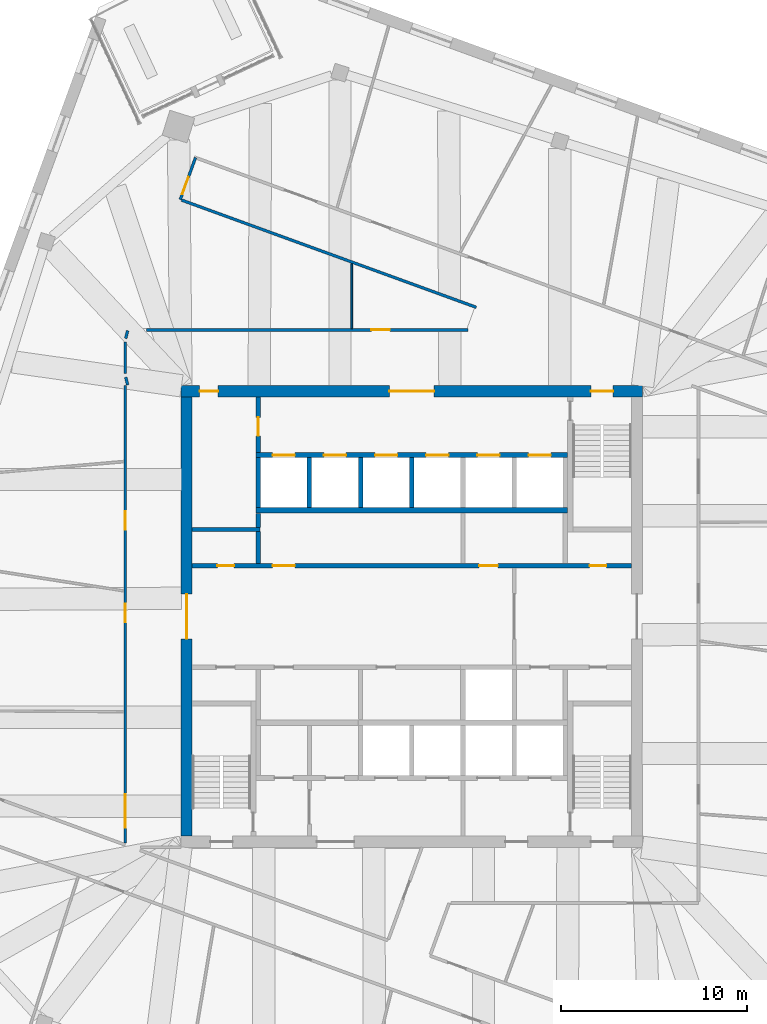
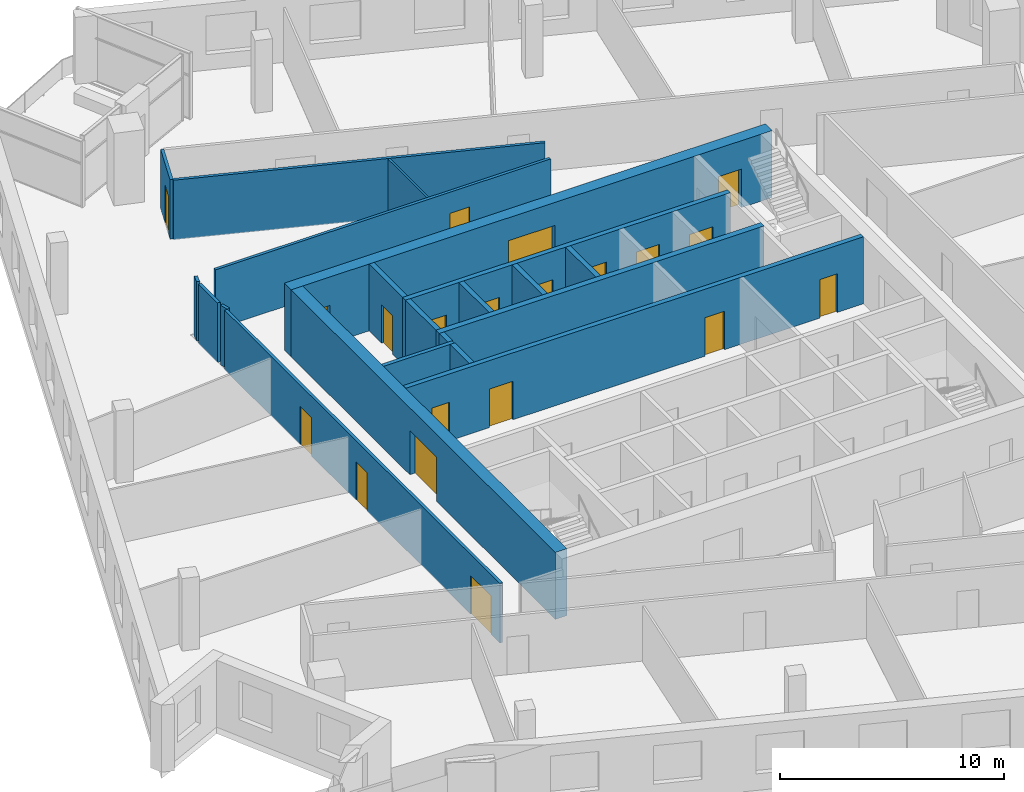
# One storey, part 9 of 13: 21 walls, 20 doors, 20 openings.
"""IFC4 building model written with IfcOpenShell, lengths in metres."""

import ifcopenshell
import ifcopenshell.guid

model = None  # the IFC model being written
_history = None  # IfcOwnerHistory: only IFC2X3 demands one
_inside = {}  # id of a spatial element -> (the spatial element, [elements in it])
_under = {}  # id of a project, library or spatial element -> (it, [spatial elements below it])
_declared = {}  # id of a project -> (the project, [libraries it declares])
_typed = {}  # id of a type object -> (the type object, [elements of that type])
_made_of = {}  # id of a material, layer set ... -> (it, [elements and type objects made of it])


def new_model(schema):
    """Start an empty IFC model of exactly this schema.

    Asked for "IFC4X3", IfcOpenShell would pick the latest addendum, in which some entities
    have other attributes; the version numbers below select the first issue.
    IFC2X3 requires an IfcOwnerHistory on every rooted entity: one is made here for all.
    """
    global model, _history
    if schema == "IFC4X3":
        model = ifcopenshell.file(schema_version=(4, 3, 0, 0))
    else:
        model = ifcopenshell.file(schema=schema)
    _inside.clear()
    _under.clear()
    _declared.clear()
    _typed.clear()
    _made_of.clear()
    _history = None
    if model.schema == "IFC2X3":
        org = make("IfcOrganization", Name="unknown")
        user = make(
            "IfcPersonAndOrganization",
            ThePerson=make("IfcPerson", FamilyName="unknown"),
            TheOrganization=org,
        )
        app = make(
            "IfcApplication",
            ApplicationDeveloper=org,
            Version="unknown",
            ApplicationFullName="unknown",
            ApplicationIdentifier="unknown",
        )
        _history = make(
            "IfcOwnerHistory",
            OwningUser=user,
            OwningApplication=app,
            ChangeAction="ADDED",
            CreationDate=0,
        )
    return model


def make(cls, **values):
    """One entity of the class cls with the attributes given. An attribute that is None is left unset."""
    return model.create_entity(
        cls, **{name: value for name, value in values.items() if value is not None}
    )


def rooted(cls, **values):
    """An entity with a GlobalId (a new one), such as an element, a storey or a relation."""
    return make(cls, GlobalId=ifcopenshell.guid.new(), OwnerHistory=_history, **values)


def si_unit(unit_type, name, prefix=None):
    """IfcSIUnit, for example si_unit("LENGTHUNIT", "METRE", prefix="MILLI")."""
    return make("IfcSIUnit", UnitType=unit_type, Prefix=prefix, Name=name)


def assignment(units):
    """IfcUnitAssignment: the units of a project."""
    return None if units is None else make("IfcUnitAssignment", Units=units)


def point(xyz):
    """IfcCartesianPoint."""
    return None if xyz is None else make("IfcCartesianPoint", Coordinates=xyz)


def direction(xyz):
    """IfcDirection."""
    return None if xyz is None else make("IfcDirection", DirectionRatios=xyz)


def frame(location, z_axis=None, x_axis=None):
    """IfcAxis2Placement3D, a coordinate frame: its origin and axes. An axis left out is left unset."""
    return make(
        "IfcAxis2Placement3D",
        Location=point(location),
        Axis=direction(z_axis),
        RefDirection=direction(x_axis),
    )


def frame_2d(location, x_axis=None):
    """IfcAxis2Placement2D, a coordinate frame in the plane: its origin and x axis."""
    return make(
        "IfcAxis2Placement2D", Location=point(location), RefDirection=direction(x_axis)
    )


def origin():
    """The frame at (0, 0, 0) with its axes left unset."""
    return frame((0.0, 0.0, 0.0))


def place(relative_to, where):
    """IfcLocalPlacement: puts the frame where relative to a parent placement (None: the world)."""
    return make(
        "IfcLocalPlacement", PlacementRelTo=relative_to, RelativePlacement=where
    )


def context(
    kind, dimensions, precision=None, world=None, true_north=None, identifier=None
):
    """IfcGeometricRepresentationContext, for example the 3D "Model" context."""
    return make(
        "IfcGeometricRepresentationContext",
        ContextIdentifier=identifier,
        ContextType=kind,
        CoordinateSpaceDimension=dimensions,
        Precision=precision,
        WorldCoordinateSystem=world,
        TrueNorth=true_north,
    )


def subcontext(parent, identifier, kind, view, scale=None):
    """IfcGeometricRepresentationSubContext, for example "Body" below "Model"."""
    return make(
        "IfcGeometricRepresentationSubContext",
        ContextIdentifier=identifier,
        ContextType=kind,
        ParentContext=parent,
        TargetScale=scale,
        TargetView=view,
    )


def project(units=None, contexts=None):
    """IfcProject with its units and contexts."""
    return rooted(
        "IfcProject",
        Name="project",
        RepresentationContexts=contexts,
        UnitsInContext=assignment(units),
    )


def spatial(cls, under=None, at=None, **own):
    """A site, building, storey or space (cls), placed at a placement, below another one or the project."""
    s = rooted(cls, ObjectPlacement=at, **own)
    if under is not None:
        _under.setdefault(under.id(), (under, []))[1].append(s)
    return s


def profile(cls, at=None, kind="AREA", **sizes):
    """A parametric profile (cls). Its sizes go by their IFC names, for example OverallWidth=200.0."""
    return make(cls, ProfileType=kind, Position=at, **sizes)


def rectangle(**sizes):
    """IfcRectangleProfileDef."""
    return profile("IfcRectangleProfileDef", **sizes)


def extrude(swept, where, along, depth):
    """IfcExtrudedAreaSolid: the profile swept, set in the frame where, extruded along a direction by depth."""
    return make(
        "IfcExtrudedAreaSolid",
        SweptArea=swept,
        Position=where,
        ExtrudedDirection=direction(along),
        Depth=depth,
    )


def shape(context_of_items, identifier, shape_type, items):
    """IfcShapeRepresentation: the items that make up one representation, for example the "Body"."""
    return make(
        "IfcShapeRepresentation",
        ContextOfItems=context_of_items,
        RepresentationIdentifier=identifier,
        RepresentationType=shape_type,
        Items=items,
    )


def material(Name=None, Category=None):
    """IfcMaterial."""
    return make("IfcMaterial", Name=Name, Category=Category)


def layer(
    of_material, thickness, ventilated=None, Name=None, Category=None, Priority=None
):
    """IfcMaterialLayer: one layer of a wall or slab, of a material (None: an air gap)."""
    return make(
        "IfcMaterialLayer",
        Material=of_material,
        LayerThickness=thickness,
        IsVentilated=ventilated,
        Name=Name,
        Category=Category,
        Priority=Priority,
    )


def layer_set(layers, Name=None):
    """IfcMaterialLayerSet."""
    return make("IfcMaterialLayerSet", MaterialLayers=layers, LayerSetName=Name)


def made_of(thing, what):
    """Note that an element or type object is made of a material, layer set ...; save() writes the relation."""
    if what is not None:
        _made_of.setdefault(what.id(), (what, []))[1].append(thing)
    return thing


def type_object(cls, material=None, **own):
    """A type object (cls), such as IfcWallType, which elements share."""
    return made_of(rooted(cls, **own), material)


def element(
    cls,
    number,
    at=None,
    inside=None,
    cuts=None,
    type_object=None,
    material=None,
    context=None,
    identifier="Body",
    shape_type=None,
    held_by="IfcProductDefinitionShape",
    body=None,
    shapes=None,
    **own,
):
    """One element of the class cls, such as IfcWall. Its Tag is "e" and its number.

    at: its placement. inside: the storey or other place that contains it. cuts: it is an
    opening in that element (IfcRelVoidsElement). A single representation is given by context,
    identifier, shape_type and body (its items); several are given by shapes. held_by: the class
    of the entity that holds the representations. save() writes the other relations.
    """
    e = rooted(cls, Tag="e%d" % number, ObjectPlacement=at, **own)
    if body is not None:
        shapes = [shape(context, identifier, shape_type, body)]
    if shapes is not None:
        e.Representation = make(held_by, Representations=shapes)
    if inside is not None:
        _inside.setdefault(inside.id(), (inside, []))[1].append(e)
    if cuts is not None:
        rooted(
            "IfcRelVoidsElement", RelatingBuildingElement=cuts, RelatedOpeningElement=e
        )
    if type_object is not None:
        _typed.setdefault(type_object.id(), (type_object, []))[1].append(e)
    return made_of(e, material)


def fill(opening, filler):
    """IfcRelFillsElement: the door or window that sits in an opening."""
    return rooted(
        "IfcRelFillsElement",
        RelatingOpeningElement=opening,
        RelatedBuildingElement=filler,
    )


def aggregate(whole, parts):
    """IfcRelAggregates: a whole, such as a stair, and the parts it consists of."""
    return rooted("IfcRelAggregates", RelatingObject=whole, RelatedObjects=parts)


def save(model, path):
    """Write the relations noted so far, then the file.

    IfcRelAggregates (storeys below a building ...), IfcRelContainedInSpatialStructure (elements
    in a storey), IfcRelDefinesByType, IfcRelAssociatesMaterial and IfcRelDeclares: one each for
    every whole, place, type object, material and project.
    """
    for whole, parts in _under.values():
        aggregate(whole, parts)
    for where, things in _inside.values():
        rooted(
            "IfcRelContainedInSpatialStructure",
            RelatedElements=things,
            RelatingStructure=where,
        )
    for kind, things in _typed.values():
        rooted("IfcRelDefinesByType", RelatedObjects=things, RelatingType=kind)
    for what, things in _made_of.values():
        rooted("IfcRelAssociatesMaterial", RelatedObjects=things, RelatingMaterial=what)
    for by, libraries in _declared.values():
        rooted("IfcRelDeclares", RelatingContext=by, RelatedDefinitions=libraries)
    model.write(path)


model = new_model("IFC4")

# Units and contexts
model_context = context("Model", 3, precision=1e-05, world=origin(), true_north=direction((0.0, 1.0)))
body_context = subcontext(model_context, "Body", "Model", "MODEL_VIEW")
ifc_project = project(units=[si_unit("LENGTHUNIT", "METRE"), si_unit("AREAUNIT", "SQUARE_METRE"), si_unit("VOLUMEUNIT", "CUBIC_METRE"), si_unit("PLANEANGLEUNIT", "RADIAN"), si_unit("MASSUNIT", "GRAM", prefix="KILO")], contexts=[model_context])

# Site, building, storey
site_placement = place(None, origin())
site = spatial("IfcSite", under=ifc_project, at=site_placement, CompositionType="ELEMENT")
building_placement = place(site_placement, origin())
building = spatial("IfcBuilding", under=site, at=building_placement, Name="Dilmun Exchange Tower", CompositionType="ELEMENT")
storey_placement = place(building_placement, frame((0.0, 0.0, 308.5)))
storey = spatial("IfcBuildingStorey", under=building, at=storey_placement, Name="L73", CompositionType="ELEMENT", Elevation=308.5)

# Wall
ifc_material_1 = material(Name="Concrete C40/50", Category="concrete")
ifc_layer_1 = layer(ifc_material_1, 0.199951171875)
ifc_layer_set_1 = layer_set([ifc_layer_1], Name="Concrete C40/50")
wall_type_1 = type_object("IfcWallType", Name="Core partition wall 200", PredefinedType="PARTITIONING", material=ifc_layer_set_1)
wall_1_placement = place(storey_placement, frame((-11.794921875, 4.675048828125, 0.0), z_axis=(0.0, 0.0, 1.0), x_axis=(1.0, 0.0, 0.0)))
element("IfcWall", 1, at=wall_1_placement, inside=storey, type_object=wall_type_1, Name="L73 core partition wall 17", PredefinedType="PARTITIONING", context=body_context, shape_type="SweptSolid", body=[
    extrude(rectangle(XDim=3.64501953125, YDim=0.199951171875, at=frame_2d((1.822509765625, 0.0))), origin(), (0.0, 0.0, 1.0), 3.64990234375),
])

# Wall, openings, doors
ifc_layer_2 = layer(ifc_material_1, 0.25)
ifc_layer_set_2 = layer_set([ifc_layer_2], Name="Concrete C40/50")
wall_type_2 = type_object("IfcWallType", Name="Core partition wall 250", PredefinedType="PARTITIONING", material=ifc_layer_set_2)
wall_2_placement = place(storey_placement, frame((-11.794921875, 2.72509765625, 0.0), z_axis=(0.0, 0.0, 1.0), x_axis=(1.0, 0.0, 0.0)))
wall_2 = element("IfcWall", 2, at=wall_2_placement, inside=storey, type_object=wall_type_2, Name="L73 core partition wall 13", PredefinedType="PARTITIONING", context=body_context, shape_type="SweptSolid", body=[
    extrude(rectangle(XDim=23.58984375, YDim=0.25, at=frame_2d((11.794921875, 0.0))), origin(), (0.0, 0.0, 1.0), 3.64990234375),
])
opening_1_placement = place(wall_2_placement, frame((21.344970703125, 0.0, 0.0)))
opening_1 = element("IfcOpeningElement", 3, at=opening_1_placement, cuts=wall_2, Name="Opening CD6", PredefinedType="OPENING", context=body_context, shape_type="SweptSolid", body=[
    extrude(rectangle(XDim=0.89990234375, YDim=2.10009765625, at=frame_2d((0.449951171875, 1.050048828125))), frame((0.0, 0.135009765625, 0.0), z_axis=(0.0, -1.0, 0.0), x_axis=(1.0, 0.0, 0.0)), (0.0, 0.0, 1.0), 0.27001953125),
])
opening_2_placement = place(wall_2_placement, frame((1.344970703125, 0.0, 0.0)))
opening_2 = element("IfcOpeningElement", 4, at=opening_2_placement, cuts=wall_2, Name="Opening CD6", PredefinedType="OPENING", context=body_context, shape_type="SweptSolid", body=[
    extrude(rectangle(XDim=0.89990234375, YDim=2.10009765625, at=frame_2d((0.449951171875, 1.050048828125))), frame((0.0, 0.135009765625, 0.0), z_axis=(0.0, -1.0, 0.0), x_axis=(1.0, 0.0, 0.0)), (0.0, 0.0, 1.0), 0.27001953125),
])
opening_3_placement = place(wall_2_placement, frame((4.320068359375, 0.0, 0.0)))
opening_3 = element("IfcOpeningElement", 5, at=opening_3_placement, cuts=wall_2, Name="Opening CD3", PredefinedType="OPENING", context=body_context, shape_type="SweptSolid", body=[
    extrude(rectangle(XDim=1.199951171875, YDim=2.10009765625, at=frame_2d((0.60009765625, 1.050048828125))), frame((0.0, 0.135009765625, 0.0), z_axis=(0.0, -1.0, 0.0), x_axis=(1.0, 0.0, 0.0)), (0.0, 0.0, 1.0), 0.27001953125),
])
opening_4_placement = place(wall_2_placement, frame((15.419921875, 0.0, 0.0)))
opening_4 = element("IfcOpeningElement", 6, at=opening_4_placement, cuts=wall_2, Name="Opening CD4", PredefinedType="OPENING", context=body_context, shape_type="SweptSolid", body=[
    extrude(rectangle(XDim=1.0, YDim=2.10009765625, at=frame_2d((0.5, 1.050048828125))), frame((0.0, 0.135009765625, 0.0), z_axis=(0.0, -1.0, 0.0), x_axis=(1.0, 0.0, 0.0)), (0.0, 0.0, 1.0), 0.27001953125),
])
ifc_material_2 = material(Name="Fire-rated steel door set", Category="steel")
door_type_1 = type_object("IfcDoorType", Name="Core room door 1000x2100", OperationType="SINGLE_SWING_LEFT", PredefinedType="DOOR", material=ifc_material_2)
door_1_placement = place(opening_4_placement, origin())
door_1 = element("IfcDoor", 7, at=door_1_placement, inside=storey, type_object=door_type_1, Name="L73 door Tenant services room", OperationType="SINGLE_SWING_RIGHT", OverallHeight=2.10009765625, OverallWidth=1.0, PredefinedType="DOOR", context=body_context, shape_type="SweptSolid", body=[
    extrude(rectangle(XDim=1.0, YDim=2.10009765625, at=frame_2d((0.5, 1.050048828125))), frame((0.0, 0.02490234375, 0.0), z_axis=(0.0, -1.0, 0.0), x_axis=(1.0, 0.0, 0.0)), (0.0, 0.0, 1.0), 0.050048828125),
])
fill(opening_4, door_1)
door_type_2 = type_object("IfcDoorType", Name="Core room door 900x2100", OperationType="SINGLE_SWING_LEFT", PredefinedType="DOOR", material=ifc_material_2)
door_2_placement = place(opening_1_placement, origin())
door_2 = element("IfcDoor", 8, at=door_2_placement, inside=storey, type_object=door_type_2, Name="L73 door Electrical riser", OperationType="SINGLE_SWING_RIGHT", OverallHeight=2.10009765625, OverallWidth=0.89990234375, PredefinedType="DOOR", context=body_context, shape_type="SweptSolid", body=[
    extrude(rectangle(XDim=0.89990234375, YDim=2.10009765625, at=frame_2d((0.449951171875, 1.050048828125))), frame((0.0, 0.02490234375, 0.0), z_axis=(0.0, -1.0, 0.0), x_axis=(1.0, 0.0, 0.0)), (0.0, 0.0, 1.0), 0.050048828125),
])
fill(opening_1, door_2)
door_3_placement = place(opening_2_placement, origin())
door_3 = element("IfcDoor", 9, at=door_3_placement, inside=storey, type_object=door_type_2, Name="L73 door Plumbing riser", OperationType="SINGLE_SWING_RIGHT", OverallHeight=2.10009765625, OverallWidth=0.89990234375, PredefinedType="DOOR", context=body_context, shape_type="SweptSolid", body=[
    extrude(rectangle(XDim=0.89990234375, YDim=2.10009765625, at=frame_2d((0.449951171875, 1.050048828125))), frame((0.0, 0.02490234375, 0.0), z_axis=(0.0, -1.0, 0.0), x_axis=(1.0, 0.0, 0.0)), (0.0, 0.0, 1.0), 0.050048828125),
])
fill(opening_2, door_3)
door_type_3 = type_object("IfcDoorType", Name="Stair exit door 1200x2100", OperationType="SINGLE_SWING_LEFT", PredefinedType="DOOR", material=ifc_material_2)
door_4_placement = place(opening_3_placement, origin())
door_4 = element("IfcDoor", 10, at=door_4_placement, inside=storey, type_object=door_type_3, Name="L73 door Building management office", OperationType="SINGLE_SWING_LEFT", OverallHeight=2.10009765625, OverallWidth=1.199951171875, PredefinedType="DOOR", context=body_context, shape_type="SweptSolid", body=[
    extrude(rectangle(XDim=1.199951171875, YDim=2.10009765625, at=frame_2d((0.60009765625, 1.050048828125))), frame((0.0, 0.02490234375, 0.0), z_axis=(0.0, -1.0, 0.0), x_axis=(1.0, 0.0, 0.0)), (0.0, 0.0, 1.0), 0.050048828125),
])
fill(opening_3, door_4)

# Walls
wall_3_placement = place(storey_placement, frame((-8.25, 2.85498046875, 0.0), z_axis=(0.0, 0.0, 1.0), x_axis=(0.0, 1.0, 0.0)))
element("IfcWall", 11, at=wall_3_placement, inside=storey, type_object=wall_type_2, Name="L73 core partition wall 14", PredefinedType="PARTITIONING", context=body_context, shape_type="SweptSolid", body=[
    extrude(rectangle(XDim=1.715087890625, YDim=0.25, at=frame_2d((0.857421875, 0.0))), origin(), (0.0, 0.0, 1.0), 3.64990234375),
])
wall_4_placement = place(storey_placement, frame((-8.25, 4.780029296875, 0.0), z_axis=(0.0, 0.0, 1.0), x_axis=(0.0, 1.0, 0.0)))
element("IfcWall", 12, at=wall_4_placement, inside=storey, type_object=wall_type_2, Name="L73 core partition wall 18", PredefinedType="PARTITIONING", context=body_context, shape_type="SweptSolid", body=[
    extrude(rectangle(XDim=0.764892578125, YDim=0.25, at=frame_2d((0.38232421875, 0.0))), origin(), (0.0, 0.0, 1.0), 3.64990234375),
])

# Wall, opening, door
wall_5_placement = place(storey_placement, frame((-8.25, 8.804931640625, 0.0), z_axis=(0.0, 0.0, 1.0), x_axis=(0.0, 1.0, 0.0)))
wall_5 = element("IfcWall", 13, at=wall_5_placement, inside=storey, type_object=wall_type_2, Name="L73 core partition wall 19", PredefinedType="PARTITIONING", context=body_context, shape_type="SweptSolid", body=[
    extrude(rectangle(XDim=2.989990234375, YDim=0.25, at=frame_2d((1.4951171875, 0.0))), origin(), (0.0, 0.0, 1.0), 3.64990234375),
])
opening_5_placement = place(wall_5_placement, frame((0.89501953125, 0.0, 0.0)))
opening_5 = element("IfcOpeningElement", 14, at=opening_5_placement, cuts=wall_5, Name="Opening CD4", PredefinedType="OPENING", context=body_context, shape_type="SweptSolid", body=[
    extrude(rectangle(XDim=1.0, YDim=2.10009765625, at=frame_2d((0.5, 1.050048828125))), frame((0.0, 0.135009765625, 0.0), z_axis=(0.0, -1.0, 0.0), x_axis=(1.0, 0.0, 0.0)), (0.0, 0.0, 1.0), 0.27001953125),
])
door_5_placement = place(opening_5_placement, origin())
door_5 = element("IfcDoor", 15, at=door_5_placement, inside=storey, type_object=door_type_1, Name="L73 door Facilities office", OperationType="SINGLE_SWING_RIGHT", OverallHeight=2.10009765625, OverallWidth=1.0, PredefinedType="DOOR", context=body_context, shape_type="SweptSolid", body=[
    extrude(rectangle(XDim=1.0, YDim=2.10009765625, at=frame_2d((0.5, 1.050048828125))), frame((0.0, 0.02490234375, 0.0), z_axis=(0.0, -1.0, 0.0), x_axis=(1.0, 0.0, 0.0)), (0.0, 0.0, 1.0), 0.050048828125),
])
fill(opening_5, door_5)

# Wall, openings, doors
ifc_material_3 = material(Name="Concrete C50/60", Category="concrete")
ifc_layer_3 = layer(ifc_material_3, 0.60009765625)
ifc_layer_set_3 = layer_set([ifc_layer_3], Name="Concrete C50/60")
wall_type_3 = type_object("IfcWallType", Name="Core shear wall 600 Concrete C50/60", PredefinedType="SHEAR", material=ifc_layer_set_3)
wall_6_placement = place(storey_placement, frame((-12.39990234375, 12.10009765625, 0.0), z_axis=(0.0, 0.0, 1.0), x_axis=(1.0, 0.0, 0.0)))
wall_6 = element("IfcWall", 16, at=wall_6_placement, inside=storey, type_object=wall_type_3, Name="L73 core shear wall N", PredefinedType="SHEAR", context=body_context, shape_type="SweptSolid", body=[
    extrude(rectangle(XDim=24.7998046875, YDim=0.60009765625, at=frame_2d((12.39990234375, 0.0))), origin(), (0.0, 0.0, 1.0), 3.64990234375),
])
opening_6_placement = place(wall_6_placement, frame((11.199951171875, 0.0, 0.0)))
opening_6 = element("IfcOpeningElement", 17, at=opening_6_placement, cuts=wall_6, Name="Opening CD1", PredefinedType="OPENING", context=body_context, shape_type="SweptSolid", body=[
    extrude(rectangle(XDim=2.39990234375, YDim=2.39990234375, at=frame_2d((1.199951171875, 1.199951171875))), frame((0.0, 0.31005859375, 0.0), z_axis=(0.0, -1.0, 0.0), x_axis=(1.0, 0.0, 0.0)), (0.0, 0.0, 1.0), 0.6201171875),
])
opening_7_placement = place(wall_6_placement, frame((22.02490234375, 0.0, 0.0)))
opening_7 = element("IfcOpeningElement", 18, at=opening_7_placement, cuts=wall_6, Name="Opening CD3", PredefinedType="OPENING", context=body_context, shape_type="SweptSolid", body=[
    extrude(rectangle(XDim=1.199951171875, YDim=2.10009765625, at=frame_2d((0.60009765625, 1.050048828125))), frame((0.0, 0.31005859375, 0.0), z_axis=(0.0, -1.0, 0.0), x_axis=(1.0, 0.0, 0.0)), (0.0, 0.0, 1.0), 0.6201171875),
])
opening_8_placement = place(wall_6_placement, frame((1.0, 0.0, 0.0)))
opening_8 = element("IfcOpeningElement", 19, at=opening_8_placement, cuts=wall_6, Name="Opening CD4", PredefinedType="OPENING", context=body_context, shape_type="SweptSolid", body=[
    extrude(rectangle(XDim=1.0, YDim=2.10009765625, at=frame_2d((0.5, 1.050048828125))), frame((0.0, 0.31005859375, 0.0), z_axis=(0.0, -1.0, 0.0), x_axis=(1.0, 0.0, 0.0)), (0.0, 0.0, 1.0), 0.6201171875),
])
door_type_4 = type_object("IfcDoorType", Name="Core lobby door 2400x2400", OperationType="DOUBLE_DOOR_DOUBLE_SWING", PredefinedType="DOOR", material=ifc_material_2)
door_6_placement = place(opening_6_placement, origin())
door_6 = element("IfcDoor", 20, at=door_6_placement, inside=storey, type_object=door_type_4, Name="L73 door North lift lobby", OperationType="SINGLE_SWING_LEFT", OverallHeight=2.39990234375, OverallWidth=2.39990234375, PredefinedType="DOOR", context=body_context, shape_type="SweptSolid", body=[
    extrude(rectangle(XDim=2.39990234375, YDim=2.39990234375, at=frame_2d((1.199951171875, 1.199951171875))), frame((0.0, 0.02490234375, 0.0), z_axis=(0.0, -1.0, 0.0), x_axis=(1.0, 0.0, 0.0)), (0.0, 0.0, 1.0), 0.050048828125),
])
fill(opening_6, door_6)
door_7_placement = place(opening_8_placement, origin())
door_7 = element("IfcDoor", 21, at=door_7_placement, inside=storey, type_object=door_type_1, Name="L73 door North-west core rooms", OperationType="SINGLE_SWING_LEFT", OverallHeight=2.10009765625, OverallWidth=1.0, PredefinedType="DOOR", context=body_context, shape_type="SweptSolid", body=[
    extrude(rectangle(XDim=1.0, YDim=2.10009765625, at=frame_2d((0.5, 1.050048828125))), frame((0.0, 0.02490234375, 0.0), z_axis=(0.0, -1.0, 0.0), x_axis=(1.0, 0.0, 0.0)), (0.0, 0.0, 1.0), 0.050048828125),
])
fill(opening_8, door_7)
door_8_placement = place(opening_7_placement, origin())
door_8 = element("IfcDoor", 22, at=door_8_placement, inside=storey, type_object=door_type_3, Name="L73 door Stair ST1", OperationType="SINGLE_SWING_LEFT", OverallHeight=2.10009765625, OverallWidth=1.199951171875, PredefinedType="DOOR", context=body_context, shape_type="SweptSolid", body=[
    extrude(rectangle(XDim=1.199951171875, YDim=2.10009765625, at=frame_2d((0.60009765625, 1.050048828125))), frame((0.0, 0.02490234375, 0.0), z_axis=(0.0, -1.0, 0.0), x_axis=(1.0, 0.0, 0.0)), (0.0, 0.0, 1.0), 0.050048828125),
])
fill(opening_7, door_8)

# Wall, opening, door
wall_7_placement = place(storey_placement, frame((-12.10009765625, -11.800048828125, 0.0), z_axis=(0.0, 0.0, 1.0), x_axis=(0.0, 1.0, 0.0)))
wall_7 = element("IfcWall", 23, at=wall_7_placement, inside=storey, type_object=wall_type_3, Name="L73 core shear wall W", PredefinedType="SHEAR", context=body_context, shape_type="SweptSolid", body=[
    extrude(rectangle(XDim=23.60009765625, YDim=0.60009765625, at=frame_2d((11.800048828125, 0.0))), origin(), (0.0, 0.0, 1.0), 3.64990234375),
])
opening_9_placement = place(wall_7_placement, frame((10.60009765625, 0.0, 0.0)))
opening_9 = element("IfcOpeningElement", 24, at=opening_9_placement, cuts=wall_7, Name="Opening CD1", PredefinedType="OPENING", context=body_context, shape_type="SweptSolid", body=[
    extrude(rectangle(XDim=2.39990234375, YDim=2.39990234375, at=frame_2d((1.199951171875, 1.199951171875))), frame((0.0, 0.31005859375, 0.0), z_axis=(0.0, -1.0, 0.0), x_axis=(1.0, 0.0, 0.0)), (0.0, 0.0, 1.0), 0.6201171875),
])
door_9_placement = place(opening_9_placement, origin())
door_9 = element("IfcDoor", 25, at=door_9_placement, inside=storey, type_object=door_type_4, Name="L73 door Central lift lobby", OperationType="SINGLE_SWING_LEFT", OverallHeight=2.39990234375, OverallWidth=2.39990234375, PredefinedType="DOOR", context=body_context, shape_type="SweptSolid", body=[
    extrude(rectangle(XDim=2.39990234375, YDim=2.39990234375, at=frame_2d((1.199951171875, 1.199951171875))), frame((0.0, 0.02490234375, 0.0), z_axis=(0.0, -1.0, 0.0), x_axis=(1.0, 0.0, 0.0)), (0.0, 0.0, 1.0), 0.050048828125),
])
fill(opening_9, door_9)

# Wall, openings, doors
ifc_material_4 = material(Name="Corridor wall 150")
ifc_layer_4 = layer(ifc_material_4, 0.14990234375)
ifc_layer_set_4 = layer_set([ifc_layer_4], Name="Corridor wall 150")
wall_type_4 = type_object("IfcWallType", Name="Corridor wall 150", PredefinedType="PARTITIONING", material=ifc_layer_set_4)
wall_8_placement = place(storey_placement, frame((-15.39990234375, -12.160888671875, 0.0), z_axis=(0.0, 0.0, 1.0), x_axis=(0.0, 1.0, 0.0)))
wall_8 = element("IfcWall", 26, at=wall_8_placement, inside=storey, type_object=wall_type_4, Name="Corridor wall", PredefinedType="PARTITIONING", context=body_context, shape_type="SweptSolid", body=[
    extrude(rectangle(XDim=24.560791015625, YDim=0.14990234375, at=frame_2d((12.2802734375, 0.0))), origin(), (0.0, 0.0, 1.0), 3.25),
])
opening_10_placement = place(wall_8_placement, frame((0.800048828125, 0.0, 0.0)))
opening_10 = element("IfcOpeningElement", 27, at=opening_10_placement, cuts=wall_8, Name="Opening TF72-D01", PredefinedType="OPENING", context=body_context, shape_type="SweptSolid", body=[
    extrude(rectangle(XDim=1.800048828125, YDim=2.10009765625, at=frame_2d((0.89990234375, 1.050048828125))), frame((0.0, 0.0849609375, 0.0), z_axis=(0.0, -1.0, 0.0), x_axis=(1.0, 0.0, 0.0)), (0.0, 0.0, 1.0), 0.169921875),
])
opening_11_placement = place(wall_8_placement, frame((11.84521484375, 0.0, 0.0)))
opening_11 = element("IfcOpeningElement", 28, at=opening_11_placement, cuts=wall_8, Name="Opening TF72-D03", PredefinedType="OPENING", context=body_context, shape_type="SweptSolid", body=[
    extrude(rectangle(XDim=1.0, YDim=2.10009765625, at=frame_2d((0.5, 1.050048828125))), frame((0.0, 0.0849609375, 0.0), z_axis=(0.0, -1.0, 0.0), x_axis=(1.0, 0.0, 0.0)), (0.0, 0.0, 1.0), 0.169921875),
])
opening_12_placement = place(wall_8_placement, frame((16.823974609375, 0.0, 0.0)))
opening_12 = element("IfcOpeningElement", 29, at=opening_12_placement, cuts=wall_8, Name="Opening TF72-D04", PredefinedType="OPENING", context=body_context, shape_type="SweptSolid", body=[
    extrude(rectangle(XDim=1.0, YDim=2.10009765625, at=frame_2d((0.5, 1.050048828125))), frame((0.0, 0.0849609375, 0.0), z_axis=(0.0, -1.0, 0.0), x_axis=(1.0, 0.0, 0.0)), (0.0, 0.0, 1.0), 0.169921875),
])
ifc_material_5 = material(Name="Fire door 1000 x 2100")
door_type_5 = type_object("IfcDoorType", Name="Fire door 1000 x 2100", OperationType="NOTDEFINED", PredefinedType="DOOR", material=ifc_material_5)
door_10_placement = place(opening_11_placement, origin())
door_10 = element("IfcDoor", 30, at=door_10_placement, inside=storey, type_object=door_type_5, Name="Door TF72-D03", OperationType="SINGLE_SWING_LEFT", OverallHeight=2.10009765625, OverallWidth=1.0, PredefinedType="DOOR", context=body_context, shape_type="SweptSolid", body=[
    extrude(rectangle(XDim=1.0, YDim=2.10009765625, at=frame_2d((0.5, 1.050048828125))), frame((0.0, 0.02490234375, 0.0), z_axis=(0.0, -1.0, 0.0), x_axis=(1.0, 0.0, 0.0)), (0.0, 0.0, 1.0), 0.050048828125),
])
fill(opening_11, door_10)
door_11_placement = place(opening_12_placement, origin())
door_11 = element("IfcDoor", 31, at=door_11_placement, inside=storey, type_object=door_type_5, Name="Door TF72-D04", OperationType="SINGLE_SWING_RIGHT", OverallHeight=2.10009765625, OverallWidth=1.0, PredefinedType="DOOR", context=body_context, shape_type="SweptSolid", body=[
    extrude(rectangle(XDim=1.0, YDim=2.10009765625, at=frame_2d((0.5, 1.050048828125))), frame((0.0, 0.02490234375, 0.0), z_axis=(0.0, -1.0, 0.0), x_axis=(1.0, 0.0, 0.0)), (0.0, 0.0, 1.0), 0.050048828125),
])
fill(opening_12, door_11)
ifc_material_6 = material(Name="Fire door pair 1800 x 2100")
door_type_6 = type_object("IfcDoorType", Name="Fire door pair 1800 x 2100", OperationType="NOTDEFINED", PredefinedType="DOOR", material=ifc_material_6)
door_12_placement = place(opening_10_placement, origin())
door_12 = element("IfcDoor", 32, at=door_12_placement, inside=storey, type_object=door_type_6, Name="Door TF72-D01", OperationType="DOUBLE_DOOR_SINGLE_SWING", OverallHeight=2.10009765625, OverallWidth=1.800048828125, PredefinedType="DOOR", context=body_context, shape_type="SweptSolid", body=[
    extrude(rectangle(XDim=1.800048828125, YDim=2.10009765625, at=frame_2d((0.89990234375, 1.050048828125))), frame((0.0, 0.02490234375, 0.0), z_axis=(0.0, -1.0, 0.0), x_axis=(1.0, 0.0, 0.0)), (0.0, 0.0, 1.0), 0.050048828125),
])
fill(opening_10, door_12)

# Walls
wall_9_placement = place(storey_placement, frame((-15.39990234375, 13.050048828125, 0.0), z_axis=(0.0, 0.0, 1.0), x_axis=(0.0, 1.0, 0.0)))
element("IfcWall", 33, at=wall_9_placement, inside=storey, type_object=wall_type_4, Name="Corridor wall", PredefinedType="PARTITIONING", context=body_context, shape_type="SweptSolid", body=[
    extrude(rectangle(XDim=1.699951171875, YDim=0.14990234375, at=frame_2d((0.85009765625, 0.0))), origin(), (0.0, 0.0, 1.0), 3.25),
])
wall_10_placement = place(storey_placement, frame((-15.263427734375, 12.440185546875, 0.0), z_axis=(0.0, 0.0, 1.0), x_axis=(-0.249928977064, 0.968264171817, 0.0)))
element("IfcWall", 34, at=wall_10_placement, inside=storey, type_object=wall_type_4, Name="Corridor wall", PredefinedType="PARTITIONING", context=body_context, shape_type="SweptSolid", body=[
    extrude(rectangle(XDim=0.434814453125, YDim=0.14990234375, at=frame_2d((0.21728515625, 0.0))), origin(), (0.0, 0.0, 1.0), 3.25),
])
wall_11_placement = place(storey_placement, frame((-15.263427734375, 15.359619140625, 0.0), z_axis=(0.0, 0.0, 1.0), x_axis=(-0.250064963452, -0.968229060736, 0.0)))
element("IfcWall", 35, at=wall_11_placement, inside=storey, type_object=wall_type_4, Name="Corridor wall", PredefinedType="PARTITIONING", context=body_context, shape_type="SweptSolid", body=[
    extrude(rectangle(XDim=0.4345703125, YDim=0.14990234375, at=frame_2d((0.21728515625, 0.0))), origin(), (0.0, 0.0, 1.0), 3.25),
])

# Wall, opening, door
wall_12_placement = place(storey_placement, frame((-14.250244140625, 15.39990234375, 0.0), z_axis=(0.0, 0.0, 1.0), x_axis=(1.0, 0.0, 0.0)))
wall_12 = element("IfcWall", 36, at=wall_12_placement, inside=storey, type_object=wall_type_4, Name="Corridor wall", PredefinedType="PARTITIONING", context=body_context, shape_type="SweptSolid", body=[
    extrude(rectangle(XDim=17.273193359375, YDim=0.14990234375, at=frame_2d((8.63671875, 0.0))), origin(), (0.0, 0.0, 1.0), 3.25),
])
opening_13_placement = place(wall_12_placement, frame((12.074951171875, 0.0, 0.0)))
opening_13 = element("IfcOpeningElement", 37, at=opening_13_placement, cuts=wall_12, Name="Opening TF72-D10", PredefinedType="OPENING", context=body_context, shape_type="SweptSolid", body=[
    extrude(rectangle(XDim=1.0, YDim=2.10009765625, at=frame_2d((0.5, 1.050048828125))), frame((0.0, 0.0849609375, 0.0), z_axis=(0.0, -1.0, 0.0), x_axis=(1.0, 0.0, 0.0)), (0.0, 0.0, 1.0), 0.169921875),
])
door_13_placement = place(opening_13_placement, origin())
door_13 = element("IfcDoor", 38, at=door_13_placement, inside=storey, type_object=door_type_5, Name="Door TF72-D10", OperationType="SINGLE_SWING_RIGHT", OverallHeight=2.10009765625, OverallWidth=1.0, PredefinedType="DOOR", context=body_context, shape_type="SweptSolid", body=[
    extrude(rectangle(XDim=1.0, YDim=2.10009765625, at=frame_2d((0.5, 1.050048828125))), frame((0.0, 0.02490234375, 0.0), z_axis=(0.0, -1.0, 0.0), x_axis=(1.0, 0.0, 0.0)), (0.0, 0.0, 1.0), 0.050048828125),
])
fill(opening_13, door_13)

wall_13_placement = place(storey_placement, frame((-12.43994140625, 22.402099609375, 0.0), z_axis=(0.0, 0.0, 1.0), x_axis=(0.342143298706, 0.939647786753, 0.0)))
wall_13 = element("IfcWall", 39, at=wall_13_placement, inside=storey, type_object=wall_type_4, Name="Corridor wall", PredefinedType="PARTITIONING", context=body_context, shape_type="SweptSolid", body=[
    extrude(rectangle(XDim=2.399658203125, YDim=0.14990234375, at=frame_2d((1.19970703125, 0.0))), origin(), (0.0, 0.0, 1.0), 3.25),
])
opening_14_placement = place(wall_13_placement, frame((0.300048828125, 0.0, 0.0)))
opening_14 = element("IfcOpeningElement", 40, at=opening_14_placement, cuts=wall_13, Name="Opening TF72-D07", PredefinedType="OPENING", context=body_context, shape_type="SweptSolid", body=[
    extrude(rectangle(XDim=1.0, YDim=2.10009765625, at=frame_2d((0.5, 1.050048828125))), frame((0.0, 0.0849609375, 0.0), z_axis=(0.0, -1.0, 0.0), x_axis=(1.0, 0.0, 0.0)), (0.0, 0.0, 1.0), 0.169921875),
])
door_14_placement = place(opening_14_placement, origin())
door_14 = element("IfcDoor", 41, at=door_14_placement, inside=storey, type_object=door_type_5, Name="Door TF72-D07", OperationType="SINGLE_SWING_LEFT", OverallHeight=2.10009765625, OverallWidth=1.0, PredefinedType="DOOR", context=body_context, shape_type="SweptSolid", body=[
    extrude(rectangle(XDim=1.0, YDim=2.10009765625, at=frame_2d((0.5, 1.050048828125))), frame((0.0, 0.02490234375, 0.0), z_axis=(0.0, -1.0, 0.0), x_axis=(1.0, 0.0, 0.0)), (0.0, 0.0, 1.0), 0.050048828125),
])
fill(opening_14, door_14)

# Walls
wall_14_placement = place(storey_placement, frame((-12.369384765625, 22.376220703125, 0.0), z_axis=(0.0, 0.0, 1.0), x_axis=(0.939694397018, -0.342015263129, 0.0)))
element("IfcWall", 42, at=wall_14_placement, inside=storey, type_object=wall_type_4, Name="Corridor wall", PredefinedType="PARTITIONING", context=body_context, shape_type="SweptSolid", body=[
    extrude(rectangle(XDim=16.8505859375, YDim=0.14990234375, at=frame_2d((8.42529296875, 0.0))), origin(), (0.0, 0.0, 1.0), 3.25),
])
ifc_layer_5 = layer(ifc_material_1, 0.300048828125)
ifc_layer_set_5 = layer_set([ifc_layer_5], Name="Concrete C40/50")
wall_type_5 = type_object("IfcWallType", Name="Lift shaft shared wall 300", PredefinedType="SOLIDWALL", material=ifc_layer_set_5)
wall_15_placement = place(storey_placement, frame((-8.375, 5.699951171875, 0.0), z_axis=(0.0, 0.0, 1.0), x_axis=(1.0, 0.0, 0.0)))
element("IfcWall", 43, at=wall_15_placement, inside=storey, type_object=wall_type_5, Name="L73 lift shaft rear wall N", PredefinedType="SOLIDWALL", context=body_context, shape_type="SweptSolid", body=[
    extrude(rectangle(XDim=16.75, YDim=0.300048828125, at=frame_2d((8.375, 0.0))), origin(), (0.0, 0.0, 1.0), 3.64990234375),
])

# Wall, openings, doors
ifc_layer_6 = layer(ifc_material_1, 0.25)
ifc_layer_set_6 = layer_set([ifc_layer_6], Name="Concrete C40/50")
wall_type_6 = type_object("IfcWallType", Name="Lift shaft wall 250", PredefinedType="SOLIDWALL", material=ifc_layer_set_6)
wall_16_placement = place(storey_placement, frame((-8.375, 8.675048828125, 0.0), z_axis=(0.0, 0.0, 1.0), x_axis=(1.0, 0.0, 0.0)))
wall_16 = element("IfcWall", 44, at=wall_16_placement, inside=storey, type_object=wall_type_6, Name="L73 lift shaft front wall N2", PredefinedType="SOLIDWALL", context=body_context, shape_type="SweptSolid", body=[
    extrude(rectangle(XDim=16.75, YDim=0.25, at=frame_2d((8.375, 0.0))), origin(), (0.0, 0.0, 1.0), 3.64990234375),
])
opening_15_placement = place(wall_16_placement, frame((0.89990234375, 0.0, 0.0)))
opening_15 = element("IfcOpeningElement", 45, at=opening_15_placement, cuts=wall_16, Name="Opening LD", PredefinedType="OPENING", context=body_context, shape_type="SweptSolid", body=[
    extrude(rectangle(XDim=1.199951171875, YDim=2.10009765625, at=frame_2d((0.60009765625, 1.050048828125))), frame((0.0, 0.135009765625, 0.0), z_axis=(0.0, -1.0, 0.0), x_axis=(1.0, 0.0, 0.0)), (0.0, 0.0, 1.0), 0.27001953125),
])
opening_16_placement = place(wall_16_placement, frame((3.64990234375, 0.0, 0.0)))
opening_16 = element("IfcOpeningElement", 46, at=opening_16_placement, cuts=wall_16, Name="Opening LD", PredefinedType="OPENING", context=body_context, shape_type="SweptSolid", body=[
    extrude(rectangle(XDim=1.199951171875, YDim=2.10009765625, at=frame_2d((0.60009765625, 1.050048828125))), frame((0.0, 0.135009765625, 0.0), z_axis=(0.0, -1.0, 0.0), x_axis=(1.0, 0.0, 0.0)), (0.0, 0.0, 1.0), 0.27001953125),
])
opening_17_placement = place(wall_16_placement, frame((6.39990234375, 0.0, 0.0)))
opening_17 = element("IfcOpeningElement", 47, at=opening_17_placement, cuts=wall_16, Name="Opening LD", PredefinedType="OPENING", context=body_context, shape_type="SweptSolid", body=[
    extrude(rectangle(XDim=1.199951171875, YDim=2.10009765625, at=frame_2d((0.60009765625, 1.050048828125))), frame((0.0, 0.135009765625, 0.0), z_axis=(0.0, -1.0, 0.0), x_axis=(1.0, 0.0, 0.0)), (0.0, 0.0, 1.0), 0.27001953125),
])
opening_18_placement = place(wall_16_placement, frame((9.14990234375, 0.0, 0.0)))
opening_18 = element("IfcOpeningElement", 48, at=opening_18_placement, cuts=wall_16, Name="Opening LD", PredefinedType="OPENING", context=body_context, shape_type="SweptSolid", body=[
    extrude(rectangle(XDim=1.199951171875, YDim=2.10009765625, at=frame_2d((0.60009765625, 1.050048828125))), frame((0.0, 0.135009765625, 0.0), z_axis=(0.0, -1.0, 0.0), x_axis=(1.0, 0.0, 0.0)), (0.0, 0.0, 1.0), 0.27001953125),
])
opening_19_placement = place(wall_16_placement, frame((11.89990234375, 0.0, 0.0)))
opening_19 = element("IfcOpeningElement", 49, at=opening_19_placement, cuts=wall_16, Name="Opening LD", PredefinedType="OPENING", context=body_context, shape_type="SweptSolid", body=[
    extrude(rectangle(XDim=1.199951171875, YDim=2.10009765625, at=frame_2d((0.60009765625, 1.050048828125))), frame((0.0, 0.135009765625, 0.0), z_axis=(0.0, -1.0, 0.0), x_axis=(1.0, 0.0, 0.0)), (0.0, 0.0, 1.0), 0.27001953125),
])
opening_20_placement = place(wall_16_placement, frame((14.64990234375, 0.0, 0.0)))
opening_20 = element("IfcOpeningElement", 50, at=opening_20_placement, cuts=wall_16, Name="Opening LD", PredefinedType="OPENING", context=body_context, shape_type="SweptSolid", body=[
    extrude(rectangle(XDim=1.199951171875, YDim=2.10009765625, at=frame_2d((0.60009765625, 1.050048828125))), frame((0.0, 0.135009765625, 0.0), z_axis=(0.0, -1.0, 0.0), x_axis=(1.0, 0.0, 0.0)), (0.0, 0.0, 1.0), 0.27001953125),
])
door_type_7 = type_object("IfcDoorType", Name="Lift landing door 1200x2100", OperationType="DOUBLE_DOOR_SLIDING", PredefinedType="DOOR", material=ifc_material_2)
door_15_placement = place(opening_15_placement, origin())
door_15 = element("IfcDoor", 51, at=door_15_placement, inside=storey, type_object=door_type_7, Name="L73 landing door HR1", OperationType="DOUBLE_DOOR_SLIDING", OverallHeight=2.10009765625, OverallWidth=1.199951171875, PredefinedType="DOOR", context=body_context, shape_type="SweptSolid", body=[
    extrude(rectangle(XDim=1.199951171875, YDim=2.10009765625, at=frame_2d((0.60009765625, 1.050048828125))), frame((0.0, 0.02490234375, 0.0), z_axis=(0.0, -1.0, 0.0), x_axis=(1.0, 0.0, 0.0)), (0.0, 0.0, 1.0), 0.050048828125),
])
fill(opening_15, door_15)
door_16_placement = place(opening_16_placement, origin())
door_16 = element("IfcDoor", 52, at=door_16_placement, inside=storey, type_object=door_type_7, Name="L73 landing door HR2", OperationType="DOUBLE_DOOR_SLIDING", OverallHeight=2.10009765625, OverallWidth=1.199951171875, PredefinedType="DOOR", context=body_context, shape_type="SweptSolid", body=[
    extrude(rectangle(XDim=1.199951171875, YDim=2.10009765625, at=frame_2d((0.60009765625, 1.050048828125))), frame((0.0, 0.02490234375, 0.0), z_axis=(0.0, -1.0, 0.0), x_axis=(1.0, 0.0, 0.0)), (0.0, 0.0, 1.0), 0.050048828125),
])
fill(opening_16, door_16)
door_17_placement = place(opening_17_placement, origin())
door_17 = element("IfcDoor", 53, at=door_17_placement, inside=storey, type_object=door_type_7, Name="L73 landing door HR3", OperationType="DOUBLE_DOOR_SLIDING", OverallHeight=2.10009765625, OverallWidth=1.199951171875, PredefinedType="DOOR", context=body_context, shape_type="SweptSolid", body=[
    extrude(rectangle(XDim=1.199951171875, YDim=2.10009765625, at=frame_2d((0.60009765625, 1.050048828125))), frame((0.0, 0.02490234375, 0.0), z_axis=(0.0, -1.0, 0.0), x_axis=(1.0, 0.0, 0.0)), (0.0, 0.0, 1.0), 0.050048828125),
])
fill(opening_17, door_17)
door_18_placement = place(opening_18_placement, origin())
door_18 = element("IfcDoor", 54, at=door_18_placement, inside=storey, type_object=door_type_7, Name="L73 landing door HR4", OperationType="DOUBLE_DOOR_SLIDING", OverallHeight=2.10009765625, OverallWidth=1.199951171875, PredefinedType="DOOR", context=body_context, shape_type="SweptSolid", body=[
    extrude(rectangle(XDim=1.199951171875, YDim=2.10009765625, at=frame_2d((0.60009765625, 1.050048828125))), frame((0.0, 0.02490234375, 0.0), z_axis=(0.0, -1.0, 0.0), x_axis=(1.0, 0.0, 0.0)), (0.0, 0.0, 1.0), 0.050048828125),
])
fill(opening_18, door_18)
door_19_placement = place(opening_19_placement, origin())
door_19 = element("IfcDoor", 55, at=door_19_placement, inside=storey, type_object=door_type_7, Name="L73 landing door HR5", OperationType="DOUBLE_DOOR_SLIDING", OverallHeight=2.10009765625, OverallWidth=1.199951171875, PredefinedType="DOOR", context=body_context, shape_type="SweptSolid", body=[
    extrude(rectangle(XDim=1.199951171875, YDim=2.10009765625, at=frame_2d((0.60009765625, 1.050048828125))), frame((0.0, 0.02490234375, 0.0), z_axis=(0.0, -1.0, 0.0), x_axis=(1.0, 0.0, 0.0)), (0.0, 0.0, 1.0), 0.050048828125),
])
fill(opening_19, door_19)
door_20_placement = place(opening_20_placement, origin())
door_20 = element("IfcDoor", 56, at=door_20_placement, inside=storey, type_object=door_type_7, Name="L73 landing door HR6", OperationType="DOUBLE_DOOR_SLIDING", OverallHeight=2.10009765625, OverallWidth=1.199951171875, PredefinedType="DOOR", context=body_context, shape_type="SweptSolid", body=[
    extrude(rectangle(XDim=1.199951171875, YDim=2.10009765625, at=frame_2d((0.60009765625, 1.050048828125))), frame((0.0, 0.02490234375, 0.0), z_axis=(0.0, -1.0, 0.0), x_axis=(1.0, 0.0, 0.0)), (0.0, 0.0, 1.0), 0.050048828125),
])
fill(opening_20, door_20)

# Walls
for number, where, z_axis, x_axis, name in (
    (57, (-8.25, 5.85009765625, 0.0), (0.0, 0.0, 1.0), (0.0, 1.0, 0.0), "L73 lift shaft divider N20"),
    (58, (-5.5, 5.85009765625, 0.0), (0.0, 0.0, 1.0), (0.0, 1.0, 0.0), "L73 lift shaft divider N21"),
    (59, (-2.75, 5.85009765625, 0.0), (0.0, 0.0, 1.0), (0.0, 1.0, 0.0), "L73 lift shaft divider N22"),
    (60, (0.0, 5.85009765625, 0.0), (0.0, 0.0, 1.0), (0.0, 1.0, 0.0), "L73 lift shaft divider N23"),
):
    element("IfcWall", number, at=place(storey_placement, frame(where, z_axis=z_axis, x_axis=x_axis)), inside=storey, type_object=wall_type_6, Name=name, PredefinedType="SOLIDWALL", context=body_context, shape_type="SweptSolid", body=[
        extrude(rectangle(XDim=2.699951171875, YDim=0.25, at=frame_2d((1.35009765625, 0.0))), origin(), (0.0, 0.0, 1.0), 3.64990234375),
    ])
ifc_material_7 = material(Name="Partition 100")
ifc_layer_7 = layer(ifc_material_7, 0.10009765625)
ifc_layer_set_7 = layer_set([ifc_layer_7], Name="Partition 100")
wall_type_7 = type_object("IfcWallType", Name="Partition 100", PredefinedType="PARTITIONING", material=ifc_layer_set_7)
wall_17_placement = place(storey_placement, frame((-3.22509765625, 15.47509765625, 0.0), z_axis=(0.0, 0.0, 1.0), x_axis=(0.0, 1.0, 0.0)))
element("IfcWall", 61, at=wall_17_placement, inside=storey, type_object=wall_type_7, Name="Partition", PredefinedType="PARTITIONING", context=body_context, shape_type="SweptSolid", body=[
    extrude(rectangle(XDim=3.474853515625, YDim=0.10009765625, at=frame_2d((1.7373046875, 0.0))), origin(), (0.0, 0.0, 1.0), 3.25),
])

save(model, "model.ifc")
